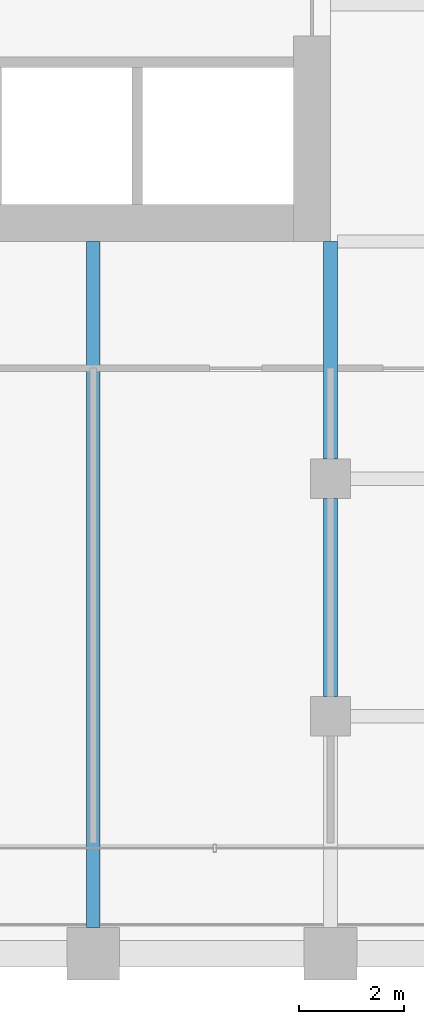
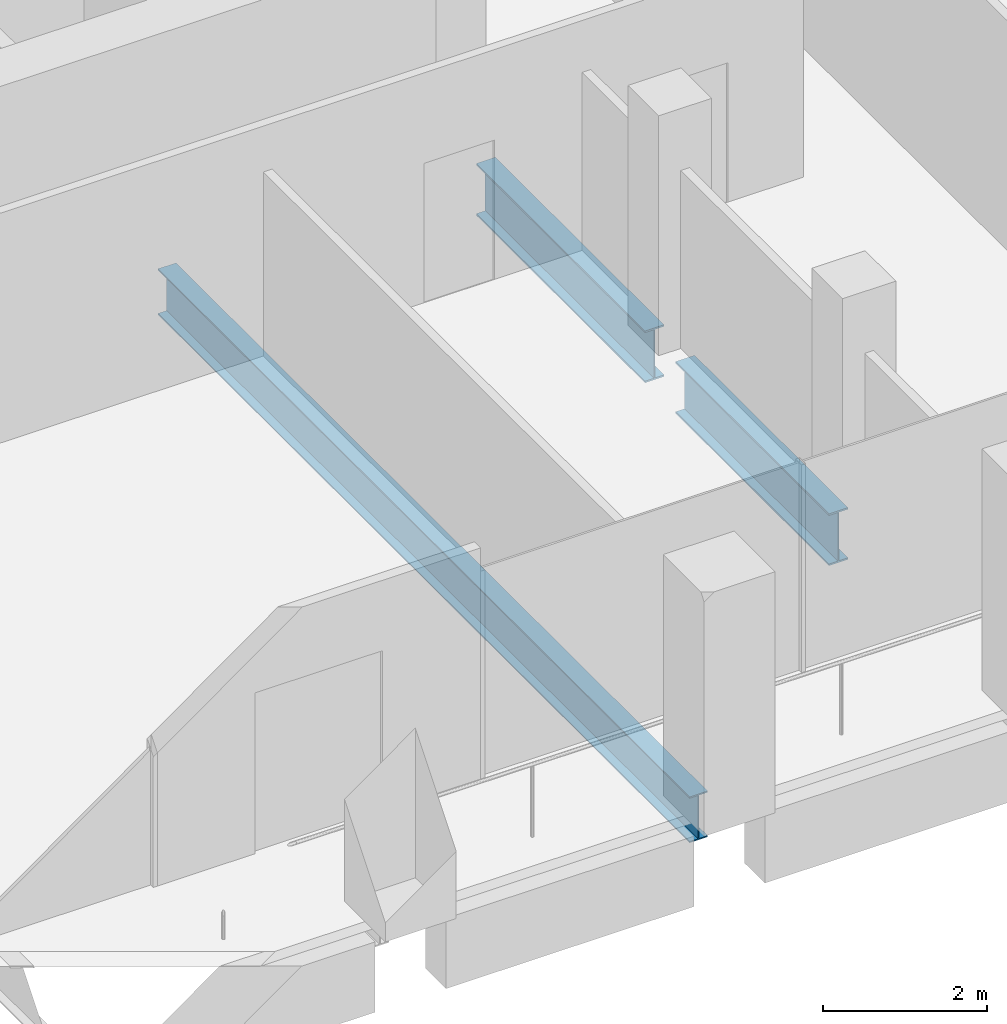
# One storey, part 10 of 46: 3 beams.
"""IFC4 building model written with IfcOpenShell, lengths in metres."""

from ifc_helpers import new_model, si_unit, direction, frame, origin, origin_2d, place, context, subcontext, project, spatial, i_section, extrude, material, material_profile, profile_set, type_object, element, save


model = new_model("IFC4")

# Units and contexts
model_context = context("Model", 3, precision=1e-05, world=origin(), true_north=direction((0.0, 1.0)))
body_context = subcontext(model_context, "Body", "Model", "MODEL_VIEW")
ifc_project = project(units=[si_unit("LENGTHUNIT", "METRE"), si_unit("AREAUNIT", "SQUARE_METRE"), si_unit("VOLUMEUNIT", "CUBIC_METRE"), si_unit("PLANEANGLEUNIT", "RADIAN"), si_unit("MASSUNIT", "GRAM", prefix="KILO")], contexts=[model_context])

# Site, building, storey
site_placement = place(None, origin())
site = spatial("IfcSite", under=ifc_project, at=site_placement, CompositionType="ELEMENT")
building_placement = place(site_placement, origin())
building = spatial("IfcBuilding", under=site, at=building_placement, Name="Altepetl Exchange Towers", CompositionType="ELEMENT")
storey_placement = place(building_placement, frame((0.0, 0.0, 120.800048828125)))
storey = spatial("IfcBuildingStorey", under=building, at=storey_placement, Name="L29", CompositionType="ELEMENT", Elevation=120.800048828125)

# Beams
ifc_material = material(Name="Steel S355", Category="steel")
ifc_material_profile_1 = material_profile(ifc_material, i_section(OverallWidth=0.25390625, OverallDepth=0.68408203125, WebThickness=0.012451171875, FlangeThickness=0.018798828125, at=origin_2d()), Name="W27X94")
ifc_profile_set_1 = profile_set([ifc_material_profile_1], Name="Steel S355")
beam_type_1 = type_object("IfcBeamType", Name="Floor beam W27X94", PredefinedType="BEAM", material=ifc_profile_set_1)
beam_1_placement = place(storey_placement, frame((54.0, 27.5, -0.491943359375), z_axis=(0.0, 1.0, 0.0), x_axis=(-1.0, 0.0, 0.0)))
element("IfcBeam", 1, at=beam_1_placement, inside=storey, type_object=beam_type_1, Name="bm:A:L29:017", PredefinedType="BEAM", context=body_context, shape_type="SweptSolid", body=[
    extrude(i_section(OverallWidth=0.25390625, OverallDepth=0.68408203125, WebThickness=0.012451171875, FlangeThickness=0.018798828125, at=origin_2d()), origin(), (0.0, 0.0, 1.0), 13.0),
])
ifc_material_profile_2 = material_profile(ifc_material, i_section(OverallWidth=0.26806640625, OverallDepth=0.77392578125, WebThickness=0.015380859375, FlangeThickness=0.025390625, at=origin_2d()), Name="W30X132")
ifc_profile_set_2 = profile_set([ifc_material_profile_2], Name="Steel S355")
beam_type_2 = type_object("IfcBeamType", Name="Girder W30X132", PredefinedType="BEAM", material=ifc_profile_set_2)
beam_2_placement = place(storey_placement, frame((58.5, 40.5, -0.537109375), z_axis=(0.0, -1.0, 0.0), x_axis=(1.0, 0.0, 0.0)))
element("IfcBeam", 2, at=beam_2_placement, inside=storey, type_object=beam_type_2, Name="gd:A:L29:003", PredefinedType="BEAM", context=body_context, shape_type="SweptSolid", body=[
    extrude(i_section(OverallWidth=0.26806640625, OverallDepth=0.77392578125, WebThickness=0.015380859375, FlangeThickness=0.025390625, at=origin_2d()), origin(), (0.0, 0.0, 1.0), 4.125),
])
beam_3_placement = place(storey_placement, frame((58.5, 35.625, -0.537109375), z_axis=(0.0, -1.0, 0.0), x_axis=(1.0, 0.0, 0.0)))
element("IfcBeam", 3, at=beam_3_placement, inside=storey, type_object=beam_type_2, Name="gd:A:L29:004", PredefinedType="BEAM", context=body_context, shape_type="SweptSolid", body=[
    extrude(i_section(OverallWidth=0.26806640625, OverallDepth=0.77392578125, WebThickness=0.015380859375, FlangeThickness=0.025390625, at=origin_2d()), origin(), (0.0, 0.0, 1.0), 3.75),
])

save(model, "model.ifc")
